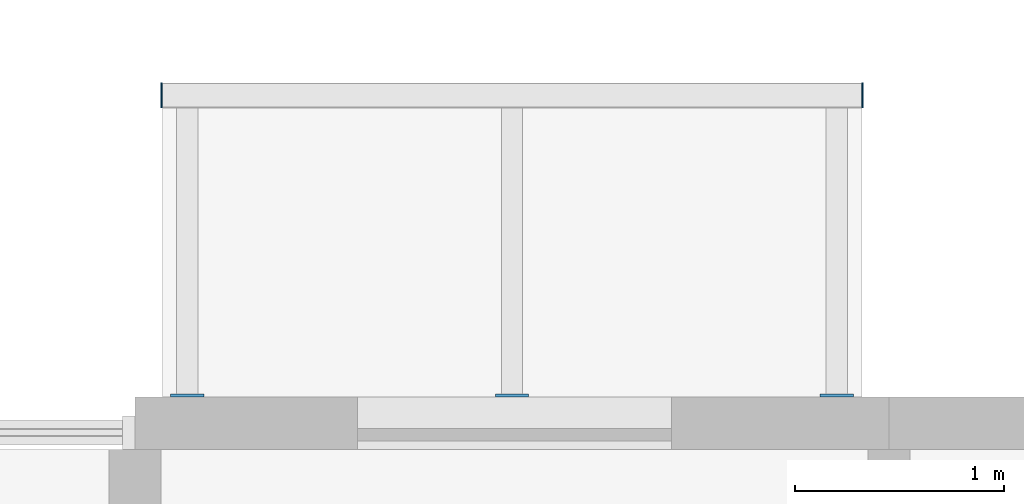
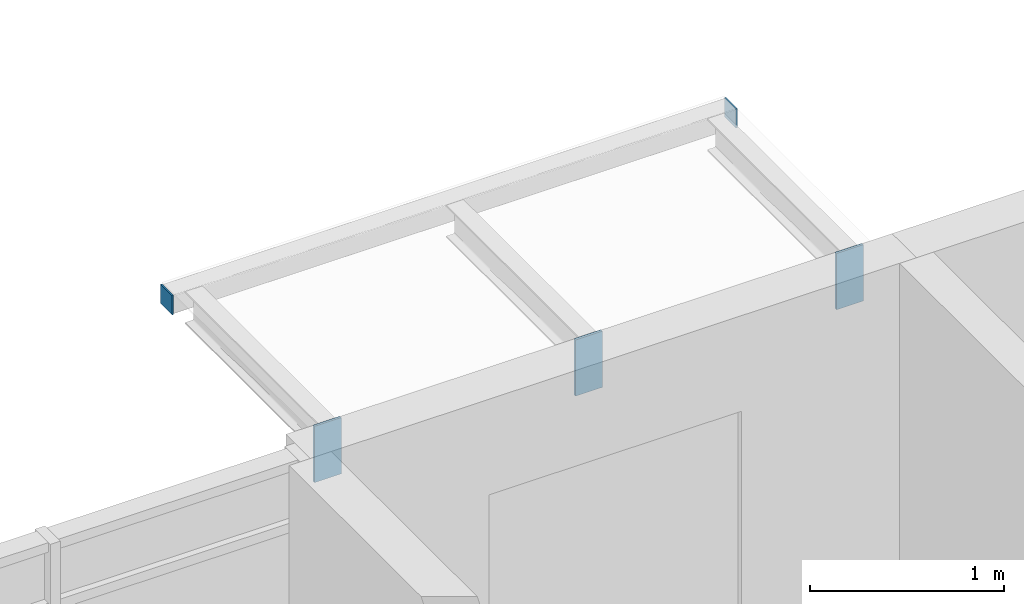
# One storey, part 61 of 78: 5 discrete accessories.
"""IFC4 building model written with IfcOpenShell, lengths in metres."""

from ifc_helpers import new_model, si_unit, direction, frame, origin, origin_2d, place, context, subcontext, project, spatial, rectangle, extrude, material, layer, layer_set, type_object, element, save


model = new_model("IFC4")

# Units and contexts
model_context = context("Model", 3, precision=1e-05, world=origin(), true_north=direction((0.0, 1.0)))
body_context = subcontext(model_context, "Body", "Model", "MODEL_VIEW")
ifc_project = project(units=[si_unit("LENGTHUNIT", "METRE"), si_unit("AREAUNIT", "SQUARE_METRE"), si_unit("VOLUMEUNIT", "CUBIC_METRE"), si_unit("PLANEANGLEUNIT", "RADIAN"), si_unit("MASSUNIT", "GRAM", prefix="KILO")], contexts=[model_context])

# Site, building, storey
site_placement = place(None, origin())
site = spatial("IfcSite", under=ifc_project, at=site_placement, CompositionType="ELEMENT")
building_placement = place(site_placement, origin())
building = spatial("IfcBuilding", under=site, at=building_placement, Name="Ridgestep Commons", CompositionType="ELEMENT")
storey_placement = place(building_placement, frame((0.0, 0.0, 30.0)))
storey = spatial("IfcBuildingStorey", under=building, at=storey_placement, Name="L10", CompositionType="ELEMENT", Elevation=30.0)

# Discrete accessories
ifc_material_1 = material(Name="Weathering steel S355J2W", Category="steel")
ifc_layer_1 = layer(ifc_material_1, 0.014892578125)
ifc_layer_set_1 = layer_set([ifc_layer_1], Name="Tray bracket plate 15")
discrete_accessory_type_1 = type_object("IfcDiscreteAccessoryType", Name="Tray bracket plate 15", PredefinedType="BRACKET", material=ifc_layer_set_1)
for number, where, z_axis, x_axis, name in (
    (1, (186.64990234375, 77.257568359375, 2.63671875), (0.0, 0.0, 1.0), (1.0, 0.0, 0.0), "Tray bracket C3T3-11.1"),
    (2, (188.199951171875, 77.257568359375, 2.63671875), (0.0, 0.0, 1.0), (1.0, 0.0, 0.0), "Tray bracket C3T3-11.2"),
    (3, (189.75, 77.257568359375, 2.63671875), (0.0, 0.0, 1.0), (1.0, 0.0, 0.0), "Tray bracket C3T3-11.3"),
):
    element("IfcDiscreteAccessory", number, at=place(storey_placement, frame(where, z_axis=z_axis, x_axis=x_axis)), inside=storey, type_object=discrete_accessory_type_1, Name=name, PredefinedType="BRACKET", context=body_context, shape_type="SweptSolid", body=[
        extrude(rectangle(XDim=0.159912109375, YDim=0.014892578125, at=origin_2d()), origin(), (0.0, 0.0, 1.0), 0.353271484375),
    ])
ifc_material_2 = material(Name="Weathering steel S355J2W", Category="steel")
ifc_layer_2 = layer(ifc_material_2, 0.008056640625)
ifc_layer_set_2 = layer_set([ifc_layer_2], Name="Tray edge member end plate 120 x 120 x 8")
discrete_accessory_type_2 = type_object("IfcDiscreteAccessoryType", Name="Tray edge member end plate 120 x 120 x 8", PredefinedType="BRACKET", material=ifc_layer_set_2)
for number, where, z_axis, x_axis, name in (
    (4, (186.52587890625, 78.68994140625, 2.869873046875), (0.0, 0.0, 1.0), (1.0, 0.0, 0.0), "Tray edge member end plate C3T3-11 west"),
    (5, (189.8740234375, 78.68994140625, 2.869873046875), (0.0, 0.0, 1.0), (1.0, 0.0, 0.0), "Tray edge member end plate C3T3-11 east"),
):
    element("IfcDiscreteAccessory", number, at=place(storey_placement, frame(where, z_axis=z_axis, x_axis=x_axis)), inside=storey, type_object=discrete_accessory_type_2, Name=name, PredefinedType="BRACKET", context=body_context, shape_type="SweptSolid", body=[
        extrude(rectangle(XDim=0.008056640625, YDim=0.1201171875, at=origin_2d()), origin(), (0.0, 0.0, 1.0), 0.1201171875),
    ])

save(model, "model.ifc")
